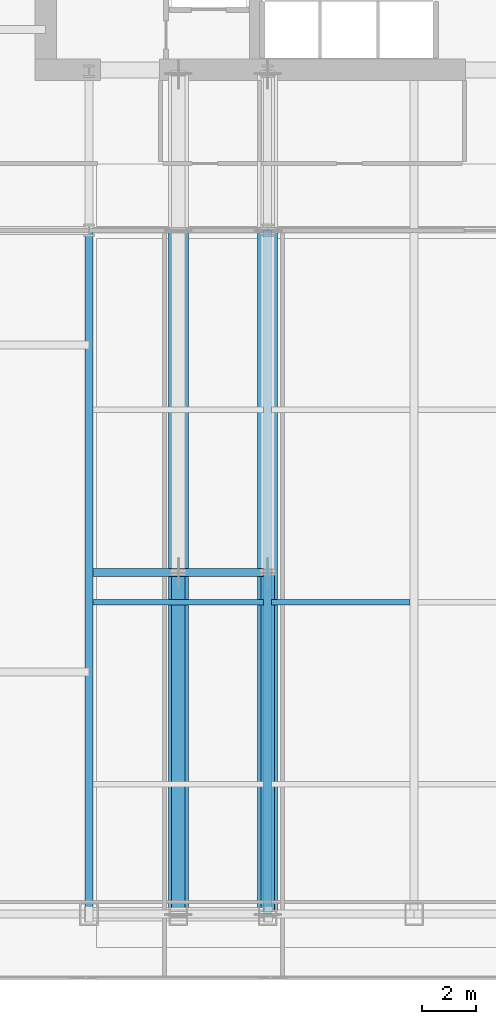
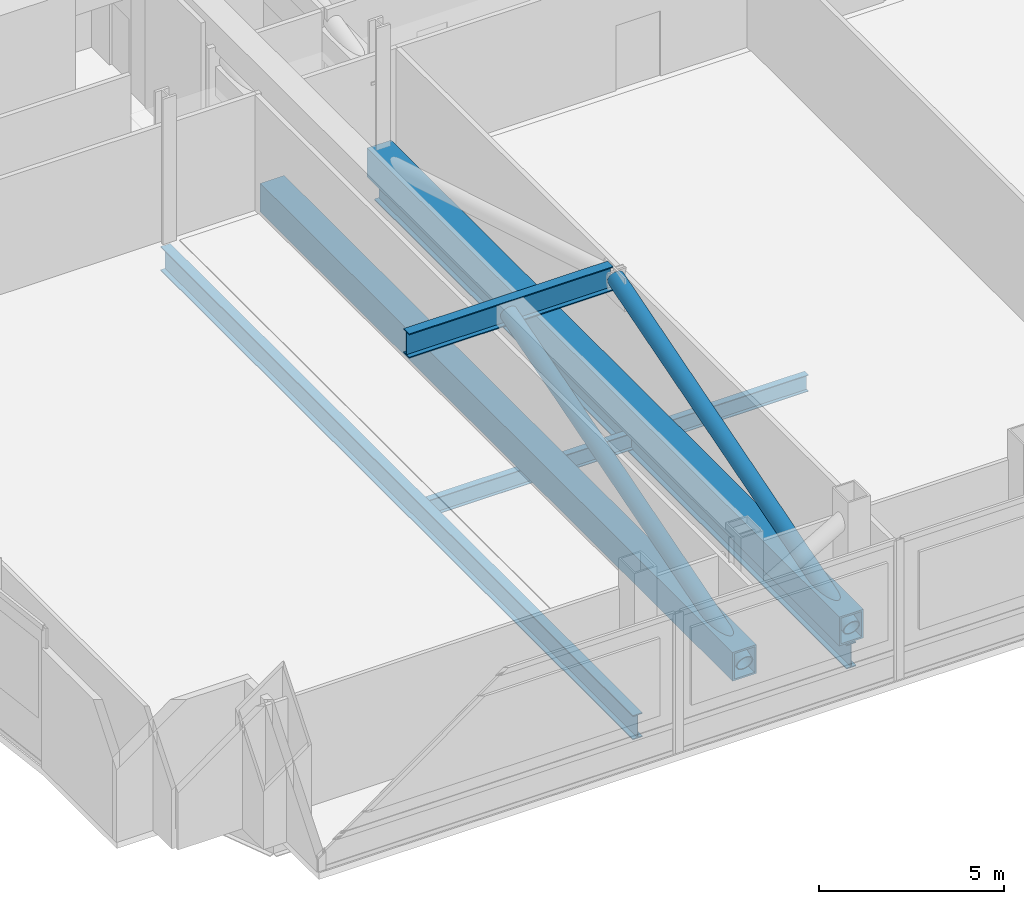
# One storey, part 9 of 32: 5 beams, 4 members.
"""IFC4 building model written with IfcOpenShell, lengths in metres."""

import ifcopenshell
import ifcopenshell.guid

model = None  # the IFC model being written
_history = None  # IfcOwnerHistory: only IFC2X3 demands one
_inside = {}  # id of a spatial element -> (the spatial element, [elements in it])
_under = {}  # id of a project, library or spatial element -> (it, [spatial elements below it])
_declared = {}  # id of a project -> (the project, [libraries it declares])
_typed = {}  # id of a type object -> (the type object, [elements of that type])
_made_of = {}  # id of a material, layer set ... -> (it, [elements and type objects made of it])


def new_model(schema):
    """Start an empty IFC model of exactly this schema.

    Asked for "IFC4X3", IfcOpenShell would pick the latest addendum, in which some entities
    have other attributes; the version numbers below select the first issue.
    IFC2X3 requires an IfcOwnerHistory on every rooted entity: one is made here for all.
    """
    global model, _history
    if schema == "IFC4X3":
        model = ifcopenshell.file(schema_version=(4, 3, 0, 0))
    else:
        model = ifcopenshell.file(schema=schema)
    _inside.clear()
    _under.clear()
    _declared.clear()
    _typed.clear()
    _made_of.clear()
    _history = None
    if model.schema == "IFC2X3":
        org = make("IfcOrganization", Name="unknown")
        user = make(
            "IfcPersonAndOrganization",
            ThePerson=make("IfcPerson", FamilyName="unknown"),
            TheOrganization=org,
        )
        app = make(
            "IfcApplication",
            ApplicationDeveloper=org,
            Version="unknown",
            ApplicationFullName="unknown",
            ApplicationIdentifier="unknown",
        )
        _history = make(
            "IfcOwnerHistory",
            OwningUser=user,
            OwningApplication=app,
            ChangeAction="ADDED",
            CreationDate=0,
        )
    return model


def make(cls, **values):
    """One entity of the class cls with the attributes given. An attribute that is None is left unset."""
    return model.create_entity(
        cls, **{name: value for name, value in values.items() if value is not None}
    )


def rooted(cls, **values):
    """An entity with a GlobalId (a new one), such as an element, a storey or a relation."""
    return make(cls, GlobalId=ifcopenshell.guid.new(), OwnerHistory=_history, **values)


def si_unit(unit_type, name, prefix=None):
    """IfcSIUnit, for example si_unit("LENGTHUNIT", "METRE", prefix="MILLI")."""
    return make("IfcSIUnit", UnitType=unit_type, Prefix=prefix, Name=name)


def assignment(units):
    """IfcUnitAssignment: the units of a project."""
    return None if units is None else make("IfcUnitAssignment", Units=units)


def point(xyz):
    """IfcCartesianPoint."""
    return None if xyz is None else make("IfcCartesianPoint", Coordinates=xyz)


def direction(xyz):
    """IfcDirection."""
    return None if xyz is None else make("IfcDirection", DirectionRatios=xyz)


def frame(location, z_axis=None, x_axis=None):
    """IfcAxis2Placement3D, a coordinate frame: its origin and axes. An axis left out is left unset."""
    return make(
        "IfcAxis2Placement3D",
        Location=point(location),
        Axis=direction(z_axis),
        RefDirection=direction(x_axis),
    )


def frame_2d(location, x_axis=None):
    """IfcAxis2Placement2D, a coordinate frame in the plane: its origin and x axis."""
    return make(
        "IfcAxis2Placement2D", Location=point(location), RefDirection=direction(x_axis)
    )


def origin():
    """The frame at (0, 0, 0) with its axes left unset."""
    return frame((0.0, 0.0, 0.0))


def origin_2d():
    """The frame at (0, 0) in the plane with its x axis left unset."""
    return frame_2d((0.0, 0.0))


def place(relative_to, where):
    """IfcLocalPlacement: puts the frame where relative to a parent placement (None: the world)."""
    return make(
        "IfcLocalPlacement", PlacementRelTo=relative_to, RelativePlacement=where
    )


def context(
    kind, dimensions, precision=None, world=None, true_north=None, identifier=None
):
    """IfcGeometricRepresentationContext, for example the 3D "Model" context."""
    return make(
        "IfcGeometricRepresentationContext",
        ContextIdentifier=identifier,
        ContextType=kind,
        CoordinateSpaceDimension=dimensions,
        Precision=precision,
        WorldCoordinateSystem=world,
        TrueNorth=true_north,
    )


def subcontext(parent, identifier, kind, view, scale=None):
    """IfcGeometricRepresentationSubContext, for example "Body" below "Model"."""
    return make(
        "IfcGeometricRepresentationSubContext",
        ContextIdentifier=identifier,
        ContextType=kind,
        ParentContext=parent,
        TargetScale=scale,
        TargetView=view,
    )


def project(units=None, contexts=None):
    """IfcProject with its units and contexts."""
    return rooted(
        "IfcProject",
        Name="project",
        RepresentationContexts=contexts,
        UnitsInContext=assignment(units),
    )


def spatial(cls, under=None, at=None, **own):
    """A site, building, storey or space (cls), placed at a placement, below another one or the project."""
    s = rooted(cls, ObjectPlacement=at, **own)
    if under is not None:
        _under.setdefault(under.id(), (under, []))[1].append(s)
    return s


def profile(cls, at=None, kind="AREA", **sizes):
    """A parametric profile (cls). Its sizes go by their IFC names, for example OverallWidth=200.0."""
    return make(cls, ProfileType=kind, Position=at, **sizes)


def hollow_rectangle(**sizes):
    """IfcRectangleHollowProfileDef."""
    return profile("IfcRectangleHollowProfileDef", **sizes)


def hollow_circle(**sizes):
    """IfcCircleHollowProfileDef."""
    return profile("IfcCircleHollowProfileDef", **sizes)


def i_section(**sizes):
    """IfcIShapeProfileDef."""
    return profile("IfcIShapeProfileDef", **sizes)


def extrude(swept, where, along, depth):
    """IfcExtrudedAreaSolid: the profile swept, set in the frame where, extruded along a direction by depth."""
    return make(
        "IfcExtrudedAreaSolid",
        SweptArea=swept,
        Position=where,
        ExtrudedDirection=direction(along),
        Depth=depth,
    )


def shape(context_of_items, identifier, shape_type, items):
    """IfcShapeRepresentation: the items that make up one representation, for example the "Body"."""
    return make(
        "IfcShapeRepresentation",
        ContextOfItems=context_of_items,
        RepresentationIdentifier=identifier,
        RepresentationType=shape_type,
        Items=items,
    )


def material(Name=None, Category=None):
    """IfcMaterial."""
    return make("IfcMaterial", Name=Name, Category=Category)


def material_profile(
    of_material, cross_section, Name=None, Category=None, Priority=None
):
    """IfcMaterialProfile: a cross section and its material."""
    return make(
        "IfcMaterialProfile",
        Name=Name,
        Material=of_material,
        Profile=cross_section,
        Priority=Priority,
        Category=Category,
    )


def profile_set(profiles, Name=None, composite=None):
    """IfcMaterialProfileSet."""
    return make(
        "IfcMaterialProfileSet",
        Name=Name,
        MaterialProfiles=profiles,
        CompositeProfile=composite,
    )


def made_of(thing, what):
    """Note that an element or type object is made of a material, layer set ...; save() writes the relation."""
    if what is not None:
        _made_of.setdefault(what.id(), (what, []))[1].append(thing)
    return thing


def type_object(cls, material=None, **own):
    """A type object (cls), such as IfcWallType, which elements share."""
    return made_of(rooted(cls, **own), material)


def element(
    cls,
    number,
    at=None,
    inside=None,
    cuts=None,
    type_object=None,
    material=None,
    context=None,
    identifier="Body",
    shape_type=None,
    held_by="IfcProductDefinitionShape",
    body=None,
    shapes=None,
    **own,
):
    """One element of the class cls, such as IfcWall. Its Tag is "e" and its number.

    at: its placement. inside: the storey or other place that contains it. cuts: it is an
    opening in that element (IfcRelVoidsElement). A single representation is given by context,
    identifier, shape_type and body (its items); several are given by shapes. held_by: the class
    of the entity that holds the representations. save() writes the other relations.
    """
    e = rooted(cls, Tag="e%d" % number, ObjectPlacement=at, **own)
    if body is not None:
        shapes = [shape(context, identifier, shape_type, body)]
    if shapes is not None:
        e.Representation = make(held_by, Representations=shapes)
    if inside is not None:
        _inside.setdefault(inside.id(), (inside, []))[1].append(e)
    if cuts is not None:
        rooted(
            "IfcRelVoidsElement", RelatingBuildingElement=cuts, RelatedOpeningElement=e
        )
    if type_object is not None:
        _typed.setdefault(type_object.id(), (type_object, []))[1].append(e)
    return made_of(e, material)


def aggregate(whole, parts):
    """IfcRelAggregates: a whole, such as a stair, and the parts it consists of."""
    return rooted("IfcRelAggregates", RelatingObject=whole, RelatedObjects=parts)


def save(model, path):
    """Write the relations noted so far, then the file.

    IfcRelAggregates (storeys below a building ...), IfcRelContainedInSpatialStructure (elements
    in a storey), IfcRelDefinesByType, IfcRelAssociatesMaterial and IfcRelDeclares: one each for
    every whole, place, type object, material and project.
    """
    for whole, parts in _under.values():
        aggregate(whole, parts)
    for where, things in _inside.values():
        rooted(
            "IfcRelContainedInSpatialStructure",
            RelatedElements=things,
            RelatingStructure=where,
        )
    for kind, things in _typed.values():
        rooted("IfcRelDefinesByType", RelatedObjects=things, RelatingType=kind)
    for what, things in _made_of.values():
        rooted("IfcRelAssociatesMaterial", RelatedObjects=things, RelatingMaterial=what)
    for by, libraries in _declared.values():
        rooted("IfcRelDeclares", RelatingContext=by, RelatedDefinitions=libraries)
    model.write(path)


model = new_model("IFC4")

# Units and contexts
model_context = context("Model", 3, precision=1e-05, world=origin(), true_north=direction((0.0, 1.0)))
body_context = subcontext(model_context, "Body", "Model", "MODEL_VIEW")
ifc_project = project(units=[si_unit("LENGTHUNIT", "METRE"), si_unit("AREAUNIT", "SQUARE_METRE"), si_unit("VOLUMEUNIT", "CUBIC_METRE"), si_unit("PLANEANGLEUNIT", "RADIAN"), si_unit("MASSUNIT", "GRAM", prefix="KILO")], contexts=[model_context])

# Site, building, storey
site_placement = place(None, origin())
site = spatial("IfcSite", under=ifc_project, at=site_placement, CompositionType="ELEMENT")
building_placement = place(site_placement, origin())
building = spatial("IfcBuilding", under=site, at=building_placement, Name="Khoronbel Lancet Exchange", CompositionType="ELEMENT")
storey_placement = place(building_placement, frame((0.0, 0.0, 85.800048828125)))
storey = spatial("IfcBuildingStorey", under=building, at=storey_placement, Name="L20", CompositionType="ELEMENT", Elevation=85.800048828125)

# Beams
ifc_material_1 = material(Name="Steel S355", Category="steel")
ifc_material_profile_1 = material_profile(ifc_material_1, i_section(OverallWidth=0.300048828125, OverallDepth=0.800048828125, WebThickness=0.017578125, FlangeThickness=0.032958984375, at=origin_2d()), Name="HEB 800")
ifc_profile_set_1 = profile_set([ifc_material_profile_1], Name="Steel S355")
beam_type_1 = type_object("IfcBeamType", Name="BM-BG2", PredefinedType="BEAM", material=ifc_profile_set_1)
for number, where, z_axis, x_axis, name in (
    (1, (18.22509765625, 10.14990234375, -0.6201171875), (0.0, 1.0, 0.0), (-1.0, 0.0, 0.0), "Level L20 south primary girder GS1"),
    (2, (24.89990234375, 10.14990234375, -0.6201171875), (0.0, 1.0, 0.0), (-1.0, 0.0, 0.0), "Level L20 south primary girder GS2"),
):
    element("IfcBeam", number, at=place(storey_placement, frame(where, z_axis=z_axis, x_axis=x_axis)), inside=storey, type_object=beam_type_1, Name=name, PredefinedType="BEAM", context=body_context, shape_type="SweptSolid", body=[
        extrude(i_section(OverallWidth=0.300048828125, OverallDepth=0.800048828125, WebThickness=0.017578125, FlangeThickness=0.032958984375, at=origin_2d()), origin(), (0.0, 0.0, 1.0), 25.550048828125),
    ])
beam_1_placement = place(storey_placement, frame((18.375, 22.925048828125, 4.219970703125), z_axis=(1.0, 0.0, 0.0), x_axis=(0.0, 1.0, 0.0)))
element("IfcBeam", 3, at=beam_1_placement, inside=storey, type_object=beam_type_1, Name="Outrigger apex collector beam L20-W", PredefinedType="BEAM", context=body_context, shape_type="SweptSolid", body=[
    extrude(i_section(OverallWidth=0.300048828125, OverallDepth=0.800048828125, WebThickness=0.017578125, FlangeThickness=0.032958984375, at=origin_2d()), origin(), (0.0, 0.0, 1.0), 6.375),
])
ifc_material_profile_2 = material_profile(ifc_material_1, i_section(OverallWidth=0.2099609375, OverallDepth=0.550048828125, WebThickness=0.010986328125, FlangeThickness=0.01708984375, at=origin_2d()), Name="IPE 550")
ifc_profile_set_2 = profile_set([ifc_material_profile_2], Name="Steel S355")
beam_type_2 = type_object("IfcBeamType", Name="BM-BJ2", PredefinedType="JOIST", material=ifc_profile_set_2)
beam_2_placement = place(storey_placement, frame((18.375, 21.800048828125, -0.4951171875), z_axis=(1.0, 0.0, 0.0), x_axis=(0.0, 1.0, 0.0)))
element("IfcBeam", 4, at=beam_2_placement, inside=storey, type_object=beam_type_2, Name="Level L20 secondary composite joist J06", PredefinedType="JOIST", context=body_context, shape_type="SweptSolid", body=[
    extrude(i_section(OverallWidth=0.2099609375, OverallDepth=0.550048828125, WebThickness=0.010986328125, FlangeThickness=0.01708984375, at=origin_2d()), origin(), (0.0, 0.0, 1.0), 6.375),
])
beam_3_placement = place(storey_placement, frame((25.050048828125, 21.800048828125, -0.4951171875), z_axis=(1.0, 0.0, 0.0), x_axis=(0.0, 1.0, 0.0)))
element("IfcBeam", 5, at=beam_3_placement, inside=storey, type_object=beam_type_2, Name="Level L20 secondary composite joist J07", PredefinedType="JOIST", context=body_context, shape_type="SweptSolid", body=[
    extrude(i_section(OverallWidth=0.2099609375, OverallDepth=0.550048828125, WebThickness=0.010986328125, FlangeThickness=0.01708984375, at=origin_2d()), origin(), (0.0, 0.0, 1.0), 5.175048828125),
])

# Members
ifc_material_2 = material(Name="Steel S460", Category="steel")
ifc_material_profile_3 = material_profile(ifc_material_2, hollow_circle(Radius=0.25390625, WallThickness=0.02490234375, at=origin_2d()), Name="CHS 508x25")
ifc_profile_set_3 = profile_set([ifc_material_profile_3], Name="Steel S460")
member_type_1 = type_object("IfcMemberType", Name="MEM-OBR2", PredefinedType="BRACE", material=ifc_profile_set_3)
for number, where, z_axis, x_axis, name in (
    (6, (21.5625, 10.14990234375, 0.300048828125), (0.0, 0.958088435533, 0.286472598512), (-1.0, 0.0, 0.0), "Outrigger truss diagonal L20-1-1"),
    (7, (24.89990234375, 10.14990234375, 0.300048828125), (0.0, 0.958088435533, 0.286472598512), (-1.0, 0.0, 0.0), "Outrigger truss diagonal L20-2-1"),
):
    element("IfcMember", number, at=place(storey_placement, frame(where, z_axis=z_axis, x_axis=x_axis)), inside=storey, type_object=member_type_1, Name=name, PredefinedType="BRACE", context=body_context, shape_type="SweptSolid", body=[
        extrude(hollow_circle(Radius=0.25390625, WallThickness=0.02490234375, at=origin_2d()), origin(), (0.0, 0.0, 1.0), 13.333984375),
    ])
ifc_material_profile_4 = material_profile(ifc_material_2, hollow_rectangle(XDim=0.75, YDim=0.949951171875, WallThickness=0.054931640625, at=origin_2d()), Name="BOX 950x750x55")
ifc_profile_set_4 = profile_set([ifc_material_profile_4], Name="Steel S460")
member_type_2 = type_object("IfcMemberType", Name="MEM-OCH2", PredefinedType="CHORD", material=ifc_profile_set_4)
for number, where, z_axis, x_axis, name in (
    (8, (21.5625, 10.14990234375, 0.300048828125), (0.0, 1.0, 0.0), (-1.0, 0.0, 0.0), "Outrigger truss bottom chord L20-1-BOT"),
    (9, (24.89990234375, 10.14990234375, 0.300048828125), (0.0, 1.0, 0.0), (-1.0, 0.0, 0.0), "Outrigger truss bottom chord L20-2-BOT"),
):
    element("IfcMember", number, at=place(storey_placement, frame(where, z_axis=z_axis, x_axis=x_axis)), inside=storey, type_object=member_type_2, Name=name, PredefinedType="CHORD", context=body_context, shape_type="SweptSolid", body=[
        extrude(hollow_rectangle(XDim=0.75, YDim=0.949951171875, WallThickness=0.054931640625, at=origin_2d()), origin(), (0.0, 0.0, 1.0), 25.550048828125),
    ])

save(model, "model.ifc")
